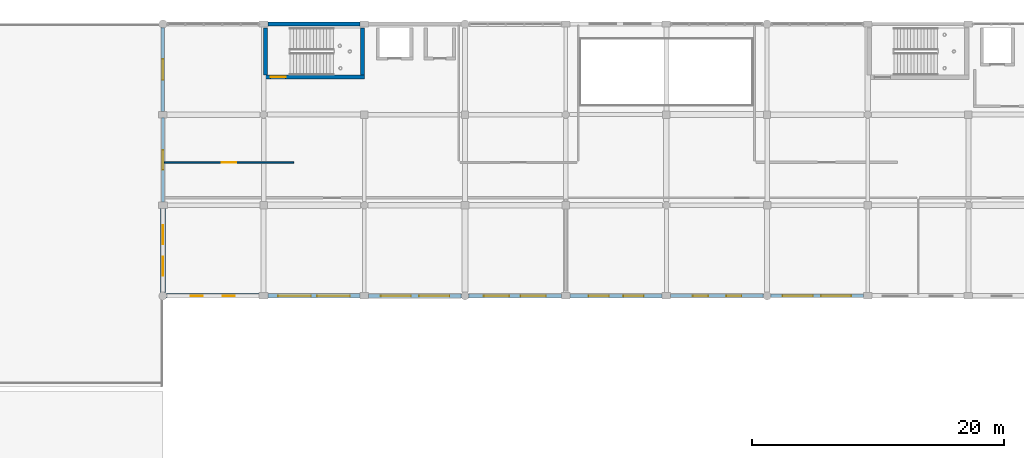
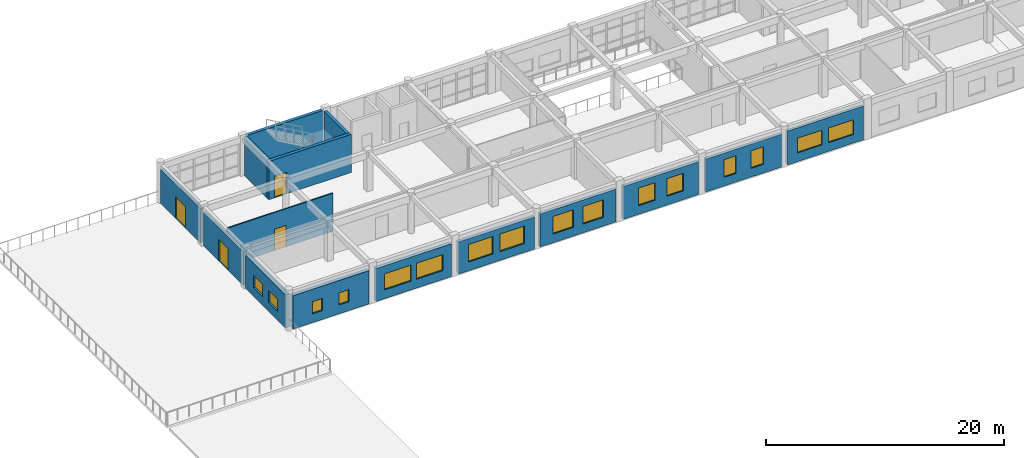
# One storey, part 41 of 53: 16 windows, 15 walls, 4 doors, 20 openings.
"""IFC4 building model written with IfcOpenShell, lengths in metres."""

from ifc_helpers import new_model, si_unit, direction, frame, frame_2d, origin, place, context, subcontext, project, spatial, rectangle, extrude, material, layer, layer_set, type_object, element, fill, save


model = new_model("IFC4")

# Units and contexts
model_context = context("Model", 3, precision=1e-05, world=origin(), true_north=direction((0.0, 1.0)))
body_context = subcontext(model_context, "Body", "Model", "MODEL_VIEW")
ifc_project = project(units=[si_unit("LENGTHUNIT", "METRE"), si_unit("AREAUNIT", "SQUARE_METRE"), si_unit("VOLUMEUNIT", "CUBIC_METRE"), si_unit("PLANEANGLEUNIT", "RADIAN"), si_unit("MASSUNIT", "GRAM", prefix="KILO")], contexts=[model_context])

# Site, building, storey
site_placement = place(None, origin())
site = spatial("IfcSite", under=ifc_project, at=site_placement, CompositionType="ELEMENT")
building_placement = place(site_placement, origin())
building = spatial("IfcBuilding", under=site, at=building_placement, Name="Kharva Crest Polytechnic", CompositionType="ELEMENT")
storey_placement = place(building_placement, frame((0.0, 0.0, 17.39990234375)))
storey = spatial("IfcBuildingStorey", under=building, at=storey_placement, Name="L04", CompositionType="ELEMENT", Elevation=17.39990234375)

# Wall, opening, door
ifc_material_1 = material(Name="Concrete C40/50", Category="concrete")
ifc_layer_1 = layer(ifc_material_1, 0.300048828125, Name="Concrete C40/50")
ifc_layer_set_1 = layer_set([ifc_layer_1], Name="Concrete C40/50")
wall_type_1 = type_object("IfcWallType", Name="WL-CORE-CW2-300", PredefinedType="SHEAR", material=ifc_layer_set_1)
wall_1_placement = place(storey_placement, frame((56.0, 117.7900390625, 0.0), z_axis=(0.0, 0.0, 1.0), x_axis=(1.0, 0.0, 0.0)))
wall_1 = element("IfcWall", 1, at=wall_1_placement, inside=storey, type_object=wall_type_1, Name="L04 North-West Lab Core C3 South Shear Wall", PredefinedType="SHEAR", context=body_context, shape_type="SweptSolid", body=[
    extrude(rectangle(XDim=8.0, YDim=0.300048828125, at=frame_2d((4.0, 0.0))), origin(), (0.0, 0.0, 1.0), 3.920166015625),
])
opening_1_placement = place(wall_1_placement, frame((0.550048828125, 0.0, 0.0)))
opening_1 = element("IfcOpeningElement", 2, at=opening_1_placement, cuts=wall_1, Name="Opening FD1", PredefinedType="OPENING", context=body_context, shape_type="SweptSolid", body=[
    extrude(rectangle(XDim=1.199951171875, YDim=2.199951171875, at=frame_2d((0.60009765625, 1.10009765625))), frame((0.0, 0.159912109375, 0.0), z_axis=(0.0, -1.0, 0.0), x_axis=(1.0, 0.0, 0.0)), (0.0, 0.0, 1.0), 0.320068359375),
])
ifc_material_2 = material(Name="Teak timber", Category="wood")
door_type_1 = type_object("IfcDoorType", Name="DR-STAIR-1200X2200", OperationType="NOTDEFINED", PredefinedType="DOOR", material=ifc_material_2)
door_1_placement = place(opening_1_placement, origin())
door_1 = element("IfcDoor", 3, at=door_1_placement, inside=storey, type_object=door_type_1, Name="L04 ST-03 Stair Door", OperationType="SINGLE_SWING_LEFT", OverallHeight=2.199951171875, OverallWidth=1.199951171875, PredefinedType="DOOR", context=body_context, shape_type="SweptSolid", body=[
    extrude(rectangle(XDim=1.199951171875, YDim=2.199951171875, at=frame_2d((0.60009765625, 1.10009765625))), frame((0.0, 0.02490234375, 0.0), z_axis=(0.0, -1.0, 0.0), x_axis=(1.0, 0.0, 0.0)), (0.0, 0.0, 1.0), 0.050048828125),
])
fill(opening_1, door_1)

# Walls
for number, where, z_axis, x_axis, name in (
    (4, (56.14990234375, 117.93994140625, 0.0), (0.0, 0.0, 1.0), (0.0, 1.0, 0.0), "L04 North-West Lab Core C3 West Shear Wall"),
    (5, (63.85009765625, 117.93994140625, 0.0), (0.0, 0.0, 1.0), (0.0, 1.0, 0.0), "L04 North-West Lab Core C3 East Shear Wall"),
):
    element("IfcWall", number, at=place(storey_placement, frame(where, z_axis=z_axis, x_axis=x_axis)), inside=storey, type_object=wall_type_1, Name=name, PredefinedType="SHEAR", context=body_context, shape_type="SweptSolid", body=[
        extrude(rectangle(XDim=3.760009765625, YDim=0.300048828125, at=frame_2d((1.8798828125, 0.0))), origin(), (0.0, 0.0, 1.0), 3.920166015625),
    ])

# Wall, opening, door
ifc_material_3 = material(Name="Kiln brick masonry", Category="masonry")
ifc_layer_2 = layer(ifc_material_3, 0.260009765625, Name="Kiln brick masonry")
ifc_layer_set_2 = layer_set([ifc_layer_2], Name="Kiln brick masonry")
wall_type_2 = type_object("IfcWallType", Name="WL-EXT-BRK-260", PredefinedType="SOLIDWALL", material=ifc_layer_set_2)
wall_2_placement = place(storey_placement, frame((48.0, 114.554931640625, 0.0), z_axis=(0.0, 0.0, 1.0), x_axis=(0.0, -1.0, 0.0)))
wall_2 = element("IfcWall", 6, at=wall_2_placement, inside=storey, type_object=wall_type_2, Name="L04 Exterior Brick Wall 392", PredefinedType="SOLIDWALL", context=body_context, shape_type="SweptSolid", body=[
    extrude(rectangle(XDim=6.7099609375, YDim=0.260009765625, at=frame_2d((3.35498046875, 0.0))), origin(), (0.0, 0.0, 1.0), 3.4501953125),
])
opening_2_placement = place(wall_2_placement, frame((2.580078125, 0.0, 0.0)))
opening_2 = element("IfcOpeningElement", 7, at=opening_2_placement, cuts=wall_2, Name="Opening ED8", PredefinedType="OPENING", context=body_context, shape_type="SweptSolid", body=[
    extrude(rectangle(XDim=1.550048828125, YDim=2.199951171875, at=frame_2d((0.77490234375, 1.10009765625))), frame((0.0, 0.139892578125, 0.0), z_axis=(0.0, -1.0, 0.0), x_axis=(1.0, 0.0, 0.0)), (0.0, 0.0, 1.0), 0.280029296875),
])
ifc_material_4 = material(Name="Anodised aluminium", Category="aluminium")
door_type_2 = type_object("IfcDoorType", Name="DR-EXT-TER-1550X2200", OperationType="NOTDEFINED", PredefinedType="DOOR", material=ifc_material_4)
door_2_placement = place(opening_2_placement, frame((1.550048828125, 0.0, 0.0), z_axis=(0.0, 0.0, 1.0), x_axis=(-1.0, 0.0, 0.0)))
door_2 = element("IfcDoor", 8, at=door_2_placement, inside=storey, type_object=door_type_2, Name="L04 TER_NW_L04 Access Door 53", OperationType="DOUBLE_DOOR_SINGLE_SWING", OverallHeight=2.199951171875, OverallWidth=1.550048828125, PredefinedType="DOOR", context=body_context, shape_type="SweptSolid", body=[
    extrude(rectangle(XDim=1.550048828125, YDim=2.199951171875, at=frame_2d((0.77490234375, 1.10009765625))), frame((0.0, 0.02490234375, 0.0), z_axis=(0.0, -1.0, 0.0), x_axis=(1.0, 0.0, 0.0)), (0.0, 0.0, 1.0), 0.050048828125),
])
fill(opening_2, door_2)

ifc_layer_3 = layer(ifc_material_3, 0.27490234375, Name="Kiln brick masonry")
ifc_layer_set_3 = layer_set([ifc_layer_3], Name="Kiln brick masonry")
wall_type_3 = type_object("IfcWallType", Name="WL-EXT-BRK-275", PredefinedType="SOLIDWALL", material=ifc_layer_set_3)
wall_3_placement = place(storey_placement, frame((48.0, 121.731201171875, 0.0), z_axis=(0.0, 0.0, 1.0), x_axis=(0.0, -1.0, 0.0)))
wall_3 = element("IfcWall", 9, at=wall_3_placement, inside=storey, type_object=wall_type_3, Name="L04 Exterior Brick Wall 391", PredefinedType="SOLIDWALL", context=body_context, shape_type="SweptSolid", body=[
    extrude(rectangle(XDim=6.686279296875, YDim=0.27490234375, at=frame_2d((3.34326171875, 0.0))), origin(), (0.0, 0.0, 1.0), 3.510009765625),
])
opening_3_placement = place(wall_3_placement, frame((2.51806640625, 0.0, 0.0)))
opening_3 = element("IfcOpeningElement", 10, at=opening_3_placement, cuts=wall_3, Name="Opening ED7", PredefinedType="OPENING", context=body_context, shape_type="SweptSolid", body=[
    extrude(rectangle(XDim=1.64990234375, YDim=2.199951171875, at=frame_2d((0.824951171875, 1.10009765625))), frame((0.0, 0.1474609375, 0.0), z_axis=(0.0, -1.0, 0.0), x_axis=(1.0, 0.0, 0.0)), (0.0, 0.0, 1.0), 0.294921875),
])
door_type_3 = type_object("IfcDoorType", Name="DR-EXT-TER-1650X2200", OperationType="NOTDEFINED", PredefinedType="DOOR", material=ifc_material_4)
door_3_placement = place(opening_3_placement, frame((1.64990234375, 0.0, 0.0), z_axis=(0.0, 0.0, 1.0), x_axis=(-1.0, 0.0, 0.0)))
door_3 = element("IfcDoor", 11, at=door_3_placement, inside=storey, type_object=door_type_3, Name="L04 TER_NW_L04 Access Door 52", OperationType="DOUBLE_DOOR_SINGLE_SWING", OverallHeight=2.199951171875, OverallWidth=1.64990234375, PredefinedType="DOOR", context=body_context, shape_type="SweptSolid", body=[
    extrude(rectangle(XDim=1.64990234375, YDim=2.199951171875, at=frame_2d((0.824951171875, 1.10009765625))), frame((0.0, 0.02490234375, 0.0), z_axis=(0.0, -1.0, 0.0), x_axis=(1.0, 0.0, 0.0)), (0.0, 0.0, 1.0), 0.050048828125),
])
fill(opening_3, door_3)

# Wall, openings, windows
wall_4_placement = place(storey_placement, frame((96.268798828125, 100.39990234375, 0.0), z_axis=(0.0, 0.0, 1.0), x_axis=(1.0, 0.0, 0.0)))
wall_4 = element("IfcWall", 12, at=wall_4_placement, inside=storey, type_object=wall_type_3, Name="L04 Exterior Brick Wall 400", PredefinedType="SOLIDWALL", context=body_context, shape_type="SweptSolid", body=[
    extrude(rectangle(XDim=7.38623046875, YDim=0.27490234375, at=frame_2d((3.693115234375, 0.0))), origin(), (0.0, 0.0, 1.0), 3.47021484375),
])
opening_4_placement = place(wall_4_placement, frame((0.968994140625, 0.0, 0.89990234375)))
opening_4 = element("IfcOpeningElement", 13, at=opening_4_placement, cuts=wall_4, Name="Opening W10", PredefinedType="OPENING", context=body_context, shape_type="SweptSolid", body=[
    extrude(rectangle(XDim=2.39990234375, YDim=1.5, at=frame_2d((1.199951171875, 0.75))), frame((0.0, 0.1474609375, 0.0), z_axis=(0.0, -1.0, 0.0), x_axis=(1.0, 0.0, 0.0)), (0.0, 0.0, 1.0), 0.294921875),
])
opening_5_placement = place(wall_4_placement, frame((4.01708984375, 0.0, 0.89990234375)))
opening_5 = element("IfcOpeningElement", 14, at=opening_5_placement, cuts=wall_4, Name="Opening W10", PredefinedType="OPENING", context=body_context, shape_type="SweptSolid", body=[
    extrude(rectangle(XDim=2.39990234375, YDim=1.5, at=frame_2d((1.199951171875, 0.75))), frame((0.0, 0.1474609375, 0.0), z_axis=(0.0, -1.0, 0.0), x_axis=(1.0, 0.0, 0.0)), (0.0, 0.0, 1.0), 0.294921875),
])
window_type_1 = type_object("IfcWindowType", Name="WIN-ALU-2400X1500", PartitioningType="SINGLE_PANEL", PredefinedType="WINDOW", material=ifc_material_4)
window_1_placement = place(opening_4_placement, origin())
window_1 = element("IfcWindow", 15, at=window_1_placement, inside=storey, type_object=window_type_1, Name="L04 Exterior Window 557", OverallHeight=1.5, OverallWidth=2.39990234375, PartitioningType="SINGLE_PANEL", PredefinedType="WINDOW", context=body_context, shape_type="SweptSolid", body=[
    extrude(rectangle(XDim=2.39990234375, YDim=1.5, at=frame_2d((1.199951171875, 0.75))), frame((0.0, 0.030029296875, 0.0), z_axis=(0.0, -1.0, 0.0), x_axis=(1.0, 0.0, 0.0)), (0.0, 0.0, 1.0), 0.06005859375),
])
fill(opening_4, window_1)
window_2_placement = place(opening_5_placement, origin())
window_2 = element("IfcWindow", 16, at=window_2_placement, inside=storey, type_object=window_type_1, Name="L04 Exterior Window 558", OverallHeight=1.5, OverallWidth=2.39990234375, PartitioningType="SINGLE_PANEL", PredefinedType="WINDOW", context=body_context, shape_type="SweptSolid", body=[
    extrude(rectangle(XDim=2.39990234375, YDim=1.5, at=frame_2d((1.199951171875, 0.75))), frame((0.0, 0.030029296875, 0.0), z_axis=(0.0, -1.0, 0.0), x_axis=(1.0, 0.0, 0.0)), (0.0, 0.0, 1.0), 0.06005859375),
])
fill(opening_5, window_2)

ifc_layer_4 = layer(ifc_material_3, 0.2900390625, Name="Kiln brick masonry")
ifc_layer_set_4 = layer_set([ifc_layer_4], Name="Kiln brick masonry")
wall_type_4 = type_object("IfcWallType", Name="WL-EXT-BRK-290", PredefinedType="SOLIDWALL", material=ifc_layer_set_4)
wall_5_placement = place(storey_placement, frame((88.3349609375, 100.39990234375, 0.0), z_axis=(0.0, 0.0, 1.0), x_axis=(1.0, 0.0, 0.0)))
wall_5 = element("IfcWall", 17, at=wall_5_placement, inside=storey, type_object=wall_type_4, Name="L04 Exterior Brick Wall 399", PredefinedType="SOLIDWALL", context=body_context, shape_type="SweptSolid", body=[
    extrude(rectangle(XDim=7.396240234375, YDim=0.2900390625, at=frame_2d((3.6982421875, 0.0))), origin(), (0.0, 0.0, 1.0), 3.3701171875),
])
opening_6_placement = place(wall_5_placement, frame((1.77197265625, 0.0, 0.89990234375)))
opening_6 = element("IfcOpeningElement", 18, at=opening_6_placement, cuts=wall_5, Name="Opening W08", PredefinedType="OPENING", context=body_context, shape_type="SweptSolid", body=[
    extrude(rectangle(XDim=1.199951171875, YDim=1.800048828125, at=frame_2d((0.60009765625, 0.89990234375))), frame((0.0, 0.155029296875, 0.0), z_axis=(0.0, -1.0, 0.0), x_axis=(1.0, 0.0, 0.0)), (0.0, 0.0, 1.0), 0.31005859375),
])
opening_7_placement = place(wall_5_placement, frame((4.424072265625, 0.0, 0.89990234375)))
opening_7 = element("IfcOpeningElement", 19, at=opening_7_placement, cuts=wall_5, Name="Opening W08", PredefinedType="OPENING", context=body_context, shape_type="SweptSolid", body=[
    extrude(rectangle(XDim=1.199951171875, YDim=1.800048828125, at=frame_2d((0.60009765625, 0.89990234375))), frame((0.0, 0.155029296875, 0.0), z_axis=(0.0, -1.0, 0.0), x_axis=(1.0, 0.0, 0.0)), (0.0, 0.0, 1.0), 0.31005859375),
])
window_type_2 = type_object("IfcWindowType", Name="WIN-ALU-1200X1800", PartitioningType="SINGLE_PANEL", PredefinedType="WINDOW", material=ifc_material_4)
window_3_placement = place(opening_6_placement, origin())
window_3 = element("IfcWindow", 20, at=window_3_placement, inside=storey, type_object=window_type_2, Name="L04 Exterior Window 555", OverallHeight=1.800048828125, OverallWidth=1.199951171875, PartitioningType="SINGLE_PANEL", PredefinedType="WINDOW", context=body_context, shape_type="SweptSolid", body=[
    extrude(rectangle(XDim=1.199951171875, YDim=1.800048828125, at=frame_2d((0.60009765625, 0.89990234375))), frame((0.0, 0.030029296875, 0.0), z_axis=(0.0, -1.0, 0.0), x_axis=(1.0, 0.0, 0.0)), (0.0, 0.0, 1.0), 0.06005859375),
])
fill(opening_6, window_3)
window_4_placement = place(opening_7_placement, origin())
window_4 = element("IfcWindow", 21, at=window_4_placement, inside=storey, type_object=window_type_2, Name="L04 Exterior Window 556", OverallHeight=1.800048828125, OverallWidth=1.199951171875, PartitioningType="SINGLE_PANEL", PredefinedType="WINDOW", context=body_context, shape_type="SweptSolid", body=[
    extrude(rectangle(XDim=1.199951171875, YDim=1.800048828125, at=frame_2d((0.60009765625, 0.89990234375))), frame((0.0, 0.030029296875, 0.0), z_axis=(0.0, -1.0, 0.0), x_axis=(1.0, 0.0, 0.0)), (0.0, 0.0, 1.0), 0.06005859375),
])
fill(opening_7, window_4)

# Wall
ifc_layer_5 = layer(ifc_material_3, 0.304931640625, Name="Kiln brick masonry")
ifc_layer_set_5 = layer_set([ifc_layer_5], Name="Kiln brick masonry")
wall_type_5 = type_object("IfcWallType", Name="WL-EXT-BRK-305", PredefinedType="SOLIDWALL", material=ifc_layer_set_5)
wall_6_placement = place(storey_placement, frame((63.6650390625, 122.0, 0.0), z_axis=(0.0, 0.0, 1.0), x_axis=(-1.0, 0.0, 0.0)))
element("IfcWall", 22, at=wall_6_placement, inside=storey, type_object=wall_type_5, Name="L04 Exterior Brick Wall 390", PredefinedType="SOLIDWALL", context=body_context, shape_type="SweptSolid", body=[
    extrude(rectangle(XDim=7.320068359375, YDim=0.304931640625, at=frame_2d((3.66015625, 0.0))), origin(), (0.0, 0.0, 1.0), 3.920166015625),
])

# Wall, openings, windows
wall_7_placement = place(storey_placement, frame((80.344970703125, 100.39990234375, 0.0), z_axis=(0.0, 0.0, 1.0), x_axis=(1.0, 0.0, 0.0)))
wall_7 = element("IfcWall", 23, at=wall_7_placement, inside=storey, type_object=wall_type_5, Name="L04 Exterior Brick Wall 398", PredefinedType="SOLIDWALL", context=body_context, shape_type="SweptSolid", body=[
    extrude(rectangle(XDim=7.320068359375, YDim=0.304931640625, at=frame_2d((3.66015625, 0.0))), origin(), (0.0, 0.0, 1.0), 3.3701171875),
])
opening_8_placement = place(wall_7_placement, frame((1.47998046875, 0.0, 0.89990234375)))
opening_8 = element("IfcOpeningElement", 24, at=opening_8_placement, cuts=wall_7, Name="Opening W06", PredefinedType="OPENING", context=body_context, shape_type="SweptSolid", body=[
    extrude(rectangle(XDim=1.60009765625, YDim=1.800048828125, at=frame_2d((0.800048828125, 0.89990234375))), frame((0.0, 0.162353515625, 0.0), z_axis=(0.0, -1.0, 0.0), x_axis=(1.0, 0.0, 0.0)), (0.0, 0.0, 1.0), 0.324951171875),
])
opening_9_placement = place(wall_7_placement, frame((4.239990234375, 0.0, 0.89990234375)))
opening_9 = element("IfcOpeningElement", 25, at=opening_9_placement, cuts=wall_7, Name="Opening W06", PredefinedType="OPENING", context=body_context, shape_type="SweptSolid", body=[
    extrude(rectangle(XDim=1.60009765625, YDim=1.800048828125, at=frame_2d((0.800048828125, 0.89990234375))), frame((0.0, 0.162353515625, 0.0), z_axis=(0.0, -1.0, 0.0), x_axis=(1.0, 0.0, 0.0)), (0.0, 0.0, 1.0), 0.324951171875),
])
window_type_3 = type_object("IfcWindowType", Name="WIN-ALU-1600X1800", PartitioningType="SINGLE_PANEL", PredefinedType="WINDOW", material=ifc_material_4)
window_5_placement = place(opening_8_placement, origin())
window_5 = element("IfcWindow", 26, at=window_5_placement, inside=storey, type_object=window_type_3, Name="L04 Exterior Window 553", OverallHeight=1.800048828125, OverallWidth=1.60009765625, PartitioningType="SINGLE_PANEL", PredefinedType="WINDOW", context=body_context, shape_type="SweptSolid", body=[
    extrude(rectangle(XDim=1.60009765625, YDim=1.800048828125, at=frame_2d((0.800048828125, 0.89990234375))), frame((0.0, 0.030029296875, 0.0), z_axis=(0.0, -1.0, 0.0), x_axis=(1.0, 0.0, 0.0)), (0.0, 0.0, 1.0), 0.06005859375),
])
fill(opening_8, window_5)
window_6_placement = place(opening_9_placement, origin())
window_6 = element("IfcWindow", 27, at=window_6_placement, inside=storey, type_object=window_type_3, Name="L04 Exterior Window 554", OverallHeight=1.800048828125, OverallWidth=1.60009765625, PartitioningType="SINGLE_PANEL", PredefinedType="WINDOW", context=body_context, shape_type="SweptSolid", body=[
    extrude(rectangle(XDim=1.60009765625, YDim=1.800048828125, at=frame_2d((0.800048828125, 0.89990234375))), frame((0.0, 0.030029296875, 0.0), z_axis=(0.0, -1.0, 0.0), x_axis=(1.0, 0.0, 0.0)), (0.0, 0.0, 1.0), 0.06005859375),
])
fill(opening_9, window_6)

ifc_layer_6 = layer(ifc_material_3, 0.320068359375, Name="Kiln brick masonry")
ifc_layer_set_6 = layer_set([ifc_layer_6], Name="Kiln brick masonry")
wall_type_6 = type_object("IfcWallType", Name="WL-EXT-BRK-320", PredefinedType="SOLIDWALL", material=ifc_layer_set_6)
wall_8_placement = place(storey_placement, frame((72.268798828125, 100.39990234375, 0.0), z_axis=(0.0, 0.0, 1.0), x_axis=(1.0, 0.0, 0.0)))
wall_8 = element("IfcWall", 28, at=wall_8_placement, inside=storey, type_object=wall_type_6, Name="L04 Exterior Brick Wall 397", PredefinedType="SOLIDWALL", context=body_context, shape_type="SweptSolid", body=[
    extrude(rectangle(XDim=7.38623046875, YDim=0.320068359375, at=frame_2d((3.693115234375, 0.0))), origin(), (0.0, 0.0, 1.0), 3.3701171875),
])
opening_10_placement = place(wall_8_placement, frame((1.235107421875, 0.0, 0.89990234375)))
opening_10 = element("IfcOpeningElement", 29, at=opening_10_placement, cuts=wall_8, Name="Opening W04", PredefinedType="OPENING", context=body_context, shape_type="SweptSolid", body=[
    extrude(rectangle(XDim=2.0, YDim=1.800048828125, at=frame_2d((1.0, 0.89990234375))), frame((0.0, 0.169921875, 0.0), z_axis=(0.0, -1.0, 0.0), x_axis=(1.0, 0.0, 0.0)), (0.0, 0.0, 1.0), 0.340087890625),
])
opening_11_placement = place(wall_8_placement, frame((4.15087890625, 0.0, 0.89990234375)))
opening_11 = element("IfcOpeningElement", 30, at=opening_11_placement, cuts=wall_8, Name="Opening W04", PredefinedType="OPENING", context=body_context, shape_type="SweptSolid", body=[
    extrude(rectangle(XDim=2.0, YDim=1.800048828125, at=frame_2d((1.0, 0.89990234375))), frame((0.0, 0.169921875, 0.0), z_axis=(0.0, -1.0, 0.0), x_axis=(1.0, 0.0, 0.0)), (0.0, 0.0, 1.0), 0.340087890625),
])
window_type_4 = type_object("IfcWindowType", Name="WIN-ALU-2000X1800", PartitioningType="SINGLE_PANEL", PredefinedType="WINDOW", material=ifc_material_4)
window_7_placement = place(opening_10_placement, origin())
window_7 = element("IfcWindow", 31, at=window_7_placement, inside=storey, type_object=window_type_4, Name="L04 Exterior Window 551", OverallHeight=1.800048828125, OverallWidth=2.0, PartitioningType="SINGLE_PANEL", PredefinedType="WINDOW", context=body_context, shape_type="SweptSolid", body=[
    extrude(rectangle(XDim=2.0, YDim=1.800048828125, at=frame_2d((1.0, 0.89990234375))), frame((0.0, 0.030029296875, 0.0), z_axis=(0.0, -1.0, 0.0), x_axis=(1.0, 0.0, 0.0)), (0.0, 0.0, 1.0), 0.06005859375),
])
fill(opening_10, window_7)
window_8_placement = place(opening_11_placement, origin())
window_8 = element("IfcWindow", 32, at=window_8_placement, inside=storey, type_object=window_type_4, Name="L04 Exterior Window 552", OverallHeight=1.800048828125, OverallWidth=2.0, PartitioningType="SINGLE_PANEL", PredefinedType="WINDOW", context=body_context, shape_type="SweptSolid", body=[
    extrude(rectangle(XDim=2.0, YDim=1.800048828125, at=frame_2d((1.0, 0.89990234375))), frame((0.0, 0.030029296875, 0.0), z_axis=(0.0, -1.0, 0.0), x_axis=(1.0, 0.0, 0.0)), (0.0, 0.0, 1.0), 0.06005859375),
])
fill(opening_11, window_8)

ifc_layer_7 = layer(ifc_material_3, 0.3349609375, Name="Kiln brick masonry")
ifc_layer_set_7 = layer_set([ifc_layer_7], Name="Kiln brick masonry")
wall_type_7 = type_object("IfcWallType", Name="WL-EXT-BRK-335", PredefinedType="SOLIDWALL", material=ifc_layer_set_7)
wall_9_placement = place(storey_placement, frame((64.3349609375, 100.39990234375, 0.0), z_axis=(0.0, 0.0, 1.0), x_axis=(1.0, 0.0, 0.0)))
wall_9 = element("IfcWall", 33, at=wall_9_placement, inside=storey, type_object=wall_type_7, Name="L04 Exterior Brick Wall 396", PredefinedType="SOLIDWALL", context=body_context, shape_type="SweptSolid", body=[
    extrude(rectangle(XDim=7.396240234375, YDim=0.3349609375, at=frame_2d((3.6982421875, 0.0))), origin(), (0.0, 0.0, 1.0), 3.2900390625),
])
opening_12_placement = place(wall_9_placement, frame((0.971923828125, 0.0, 0.89990234375)))
opening_12 = element("IfcOpeningElement", 34, at=opening_12_placement, cuts=wall_9, Name="Opening W02", PredefinedType="OPENING", context=body_context, shape_type="SweptSolid", body=[
    extrude(rectangle(XDim=2.39990234375, YDim=1.800048828125, at=frame_2d((1.199951171875, 0.89990234375))), frame((0.0, 0.177490234375, 0.0), z_axis=(0.0, -1.0, 0.0), x_axis=(1.0, 0.0, 0.0)), (0.0, 0.0, 1.0), 0.35498046875),
])
opening_13_placement = place(wall_9_placement, frame((4.02392578125, 0.0, 0.89990234375)))
opening_13 = element("IfcOpeningElement", 35, at=opening_13_placement, cuts=wall_9, Name="Opening W02", PredefinedType="OPENING", context=body_context, shape_type="SweptSolid", body=[
    extrude(rectangle(XDim=2.39990234375, YDim=1.800048828125, at=frame_2d((1.199951171875, 0.89990234375))), frame((0.0, 0.177490234375, 0.0), z_axis=(0.0, -1.0, 0.0), x_axis=(1.0, 0.0, 0.0)), (0.0, 0.0, 1.0), 0.35498046875),
])
window_type_5 = type_object("IfcWindowType", Name="WIN-ALU-2400X1800", PartitioningType="SINGLE_PANEL", PredefinedType="WINDOW", material=ifc_material_4)
window_9_placement = place(opening_12_placement, origin())
window_9 = element("IfcWindow", 36, at=window_9_placement, inside=storey, type_object=window_type_5, Name="L04 Exterior Window 549", OverallHeight=1.800048828125, OverallWidth=2.39990234375, PartitioningType="SINGLE_PANEL", PredefinedType="WINDOW", context=body_context, shape_type="SweptSolid", body=[
    extrude(rectangle(XDim=2.39990234375, YDim=1.800048828125, at=frame_2d((1.199951171875, 0.89990234375))), frame((0.0, 0.030029296875, 0.0), z_axis=(0.0, -1.0, 0.0), x_axis=(1.0, 0.0, 0.0)), (0.0, 0.0, 1.0), 0.06005859375),
])
fill(opening_12, window_9)
window_10_placement = place(opening_13_placement, origin())
window_10 = element("IfcWindow", 37, at=window_10_placement, inside=storey, type_object=window_type_5, Name="L04 Exterior Window 550", OverallHeight=1.800048828125, OverallWidth=2.39990234375, PartitioningType="SINGLE_PANEL", PredefinedType="WINDOW", context=body_context, shape_type="SweptSolid", body=[
    extrude(rectangle(XDim=2.39990234375, YDim=1.800048828125, at=frame_2d((1.199951171875, 0.89990234375))), frame((0.0, 0.030029296875, 0.0), z_axis=(0.0, -1.0, 0.0), x_axis=(1.0, 0.0, 0.0)), (0.0, 0.0, 1.0), 0.06005859375),
])
fill(opening_13, window_10)

ifc_layer_8 = layer(ifc_material_3, 0.35009765625, Name="Kiln brick masonry")
ifc_layer_set_8 = layer_set([ifc_layer_8], Name="Kiln brick masonry")
wall_type_8 = type_object("IfcWallType", Name="WL-EXT-BRK-350", PredefinedType="SOLIDWALL", material=ifc_layer_set_8)
wall_10_placement = place(storey_placement, frame((56.344970703125, 100.39990234375, 0.0), z_axis=(0.0, 0.0, 1.0), x_axis=(1.0, 0.0, 0.0)))
wall_10 = element("IfcWall", 38, at=wall_10_placement, inside=storey, type_object=wall_type_8, Name="L04 Exterior Brick Wall 395", PredefinedType="SOLIDWALL", context=body_context, shape_type="SweptSolid", body=[
    extrude(rectangle(XDim=7.320068359375, YDim=0.35009765625, at=frame_2d((3.66015625, 0.0))), origin(), (0.0, 0.0, 1.0), 3.3701171875),
])
opening_14_placement = place(wall_10_placement, frame((0.81298828125, 0.0, 0.89990234375)))
opening_14 = element("IfcOpeningElement", 39, at=opening_14_placement, cuts=wall_10, Name="Opening W24", PredefinedType="OPENING", context=body_context, shape_type="SweptSolid", body=[
    extrude(rectangle(XDim=2.60009765625, YDim=1.64990234375, at=frame_2d((1.300048828125, 0.824951171875))), frame((0.0, 0.18505859375, 0.0), z_axis=(0.0, -1.0, 0.0), x_axis=(1.0, 0.0, 0.0)), (0.0, 0.0, 1.0), 0.3701171875),
])
opening_15_placement = place(wall_10_placement, frame((3.906982421875, 0.0, 0.89990234375)))
opening_15 = element("IfcOpeningElement", 40, at=opening_15_placement, cuts=wall_10, Name="Opening W24", PredefinedType="OPENING", context=body_context, shape_type="SweptSolid", body=[
    extrude(rectangle(XDim=2.60009765625, YDim=1.64990234375, at=frame_2d((1.300048828125, 0.824951171875))), frame((0.0, 0.18505859375, 0.0), z_axis=(0.0, -1.0, 0.0), x_axis=(1.0, 0.0, 0.0)), (0.0, 0.0, 1.0), 0.3701171875),
])
window_type_6 = type_object("IfcWindowType", Name="WIN-ALU-2600X1650", PartitioningType="SINGLE_PANEL", PredefinedType="WINDOW", material=ifc_material_4)
window_11_placement = place(opening_14_placement, origin())
window_11 = element("IfcWindow", 41, at=window_11_placement, inside=storey, type_object=window_type_6, Name="L04 Exterior Window 547", OverallHeight=1.64990234375, OverallWidth=2.60009765625, PartitioningType="SINGLE_PANEL", PredefinedType="WINDOW", context=body_context, shape_type="SweptSolid", body=[
    extrude(rectangle(XDim=2.60009765625, YDim=1.64990234375, at=frame_2d((1.300048828125, 0.824951171875))), frame((0.0, 0.030029296875, 0.0), z_axis=(0.0, -1.0, 0.0), x_axis=(1.0, 0.0, 0.0)), (0.0, 0.0, 1.0), 0.06005859375),
])
fill(opening_14, window_11)
window_12_placement = place(opening_15_placement, origin())
window_12 = element("IfcWindow", 42, at=window_12_placement, inside=storey, type_object=window_type_6, Name="L04 Exterior Window 548", OverallHeight=1.64990234375, OverallWidth=2.60009765625, PartitioningType="SINGLE_PANEL", PredefinedType="WINDOW", context=body_context, shape_type="SweptSolid", body=[
    extrude(rectangle(XDim=2.60009765625, YDim=1.64990234375, at=frame_2d((1.300048828125, 0.824951171875))), frame((0.0, 0.030029296875, 0.0), z_axis=(0.0, -1.0, 0.0), x_axis=(1.0, 0.0, 0.0)), (0.0, 0.0, 1.0), 0.06005859375),
])
fill(opening_15, window_12)

ifc_layer_9 = layer(ifc_material_3, 0.364990234375, Name="Kiln brick masonry")
ifc_layer_set_9 = layer_set([ifc_layer_9], Name="Kiln brick masonry")
wall_type_9 = type_object("IfcWallType", Name="WL-EXT-BRK-365", PredefinedType="SOLIDWALL", material=ifc_layer_set_9)
wall_11_placement = place(storey_placement, frame((48.268798828125, 100.39990234375, 0.0), z_axis=(0.0, 0.0, 1.0), x_axis=(1.0, 0.0, 0.0)))
wall_11 = element("IfcWall", 43, at=wall_11_placement, inside=storey, type_object=wall_type_9, Name="L04 Exterior Brick Wall 394", PredefinedType="SOLIDWALL", context=body_context, shape_type="SweptSolid", body=[
    extrude(rectangle(XDim=7.38623046875, YDim=0.364990234375, at=frame_2d((3.693115234375, 0.0))), origin(), (0.0, 0.0, 1.0), 3.420166015625),
])
opening_16_placement = place(wall_11_placement, frame((1.93505859375, 0.0, 0.89990234375)))
opening_16 = element("IfcOpeningElement", 44, at=opening_16_placement, cuts=wall_11, Name="Opening W22", PredefinedType="OPENING", context=body_context, shape_type="SweptSolid", body=[
    extrude(rectangle(XDim=0.949951171875, YDim=1.25, at=frame_2d((0.47509765625, 0.625))), frame((0.0, 0.1923828125, 0.0), z_axis=(0.0, -1.0, 0.0), x_axis=(1.0, 0.0, 0.0)), (0.0, 0.0, 1.0), 0.385009765625),
])
opening_17_placement = place(wall_11_placement, frame((4.5009765625, 0.0, 0.89990234375)))
opening_17 = element("IfcOpeningElement", 45, at=opening_17_placement, cuts=wall_11, Name="Opening W22", PredefinedType="OPENING", context=body_context, shape_type="SweptSolid", body=[
    extrude(rectangle(XDim=0.949951171875, YDim=1.25, at=frame_2d((0.47509765625, 0.625))), frame((0.0, 0.1923828125, 0.0), z_axis=(0.0, -1.0, 0.0), x_axis=(1.0, 0.0, 0.0)), (0.0, 0.0, 1.0), 0.385009765625),
])
window_type_7 = type_object("IfcWindowType", Name="WIN-ALU-950X1250", PartitioningType="SINGLE_PANEL", PredefinedType="WINDOW", material=ifc_material_4)
window_13_placement = place(opening_16_placement, origin())
window_13 = element("IfcWindow", 46, at=window_13_placement, inside=storey, type_object=window_type_7, Name="L04 Exterior Window 545", OverallHeight=1.25, OverallWidth=0.949951171875, PartitioningType="SINGLE_PANEL", PredefinedType="WINDOW", context=body_context, shape_type="SweptSolid", body=[
    extrude(rectangle(XDim=0.949951171875, YDim=1.25, at=frame_2d((0.47509765625, 0.625))), frame((0.0, 0.030029296875, 0.0), z_axis=(0.0, -1.0, 0.0), x_axis=(1.0, 0.0, 0.0)), (0.0, 0.0, 1.0), 0.06005859375),
])
fill(opening_16, window_13)
window_14_placement = place(opening_17_placement, origin())
window_14 = element("IfcWindow", 47, at=window_14_placement, inside=storey, type_object=window_type_7, Name="L04 Exterior Window 546", OverallHeight=1.25, OverallWidth=0.949951171875, PartitioningType="SINGLE_PANEL", PredefinedType="WINDOW", context=body_context, shape_type="SweptSolid", body=[
    extrude(rectangle(XDim=0.949951171875, YDim=1.25, at=frame_2d((0.47509765625, 0.625))), frame((0.0, 0.030029296875, 0.0), z_axis=(0.0, -1.0, 0.0), x_axis=(1.0, 0.0, 0.0)), (0.0, 0.0, 1.0), 0.06005859375),
])
fill(opening_17, window_14)

ifc_layer_10 = layer(ifc_material_3, 0.3798828125, Name="Kiln brick masonry")
ifc_layer_set_10 = layer_set([ifc_layer_10], Name="Kiln brick masonry")
wall_type_10 = type_object("IfcWallType", Name="WL-EXT-BRK-380", PredefinedType="SOLIDWALL", material=ifc_layer_set_10)
wall_12_placement = place(storey_placement, frame((48.0, 107.35498046875, 0.0), z_axis=(0.0, 0.0, 1.0), x_axis=(0.0, -1.0, 0.0)))
wall_12 = element("IfcWall", 48, at=wall_12_placement, inside=storey, type_object=wall_type_10, Name="L04 Exterior Brick Wall 393", PredefinedType="SOLIDWALL", context=body_context, shape_type="SweptSolid", body=[
    extrude(rectangle(XDim=6.686279296875, YDim=0.3798828125, at=frame_2d((3.34326171875, 0.0))), origin(), (0.0, 0.0, 1.0), 3.39013671875),
])
opening_18_placement = place(wall_12_placement, frame((1.3349609375, 0.0, 0.89990234375)))
opening_18 = element("IfcOpeningElement", 49, at=opening_18_placement, cuts=wall_12, Name="Opening W20", PredefinedType="OPENING", context=body_context, shape_type="SweptSolid", body=[
    extrude(rectangle(XDim=1.5, YDim=1.25, at=frame_2d((0.75, 0.625))), frame((0.0, 0.199951171875, 0.0), z_axis=(0.0, -1.0, 0.0), x_axis=(1.0, 0.0, 0.0)), (0.0, 0.0, 1.0), 0.39990234375),
])
opening_19_placement = place(wall_12_placement, frame((3.85107421875, 0.0, 0.89990234375)))
opening_19 = element("IfcOpeningElement", 50, at=opening_19_placement, cuts=wall_12, Name="Opening W20", PredefinedType="OPENING", context=body_context, shape_type="SweptSolid", body=[
    extrude(rectangle(XDim=1.5, YDim=1.25, at=frame_2d((0.75, 0.625))), frame((0.0, 0.199951171875, 0.0), z_axis=(0.0, -1.0, 0.0), x_axis=(1.0, 0.0, 0.0)), (0.0, 0.0, 1.0), 0.39990234375),
])
window_type_8 = type_object("IfcWindowType", Name="WIN-ALU-1500X1250", PartitioningType="SINGLE_PANEL", PredefinedType="WINDOW", material=ifc_material_4)
window_15_placement = place(opening_18_placement, origin())
window_15 = element("IfcWindow", 51, at=window_15_placement, inside=storey, type_object=window_type_8, Name="L04 Exterior Window 543", OverallHeight=1.25, OverallWidth=1.5, PartitioningType="SINGLE_PANEL", PredefinedType="WINDOW", context=body_context, shape_type="SweptSolid", body=[
    extrude(rectangle(XDim=1.5, YDim=1.25, at=frame_2d((0.75, 0.625))), frame((0.0, 0.030029296875, 0.0), z_axis=(0.0, -1.0, 0.0), x_axis=(1.0, 0.0, 0.0)), (0.0, 0.0, 1.0), 0.06005859375),
])
fill(opening_18, window_15)
window_16_placement = place(opening_19_placement, origin())
window_16 = element("IfcWindow", 52, at=window_16_placement, inside=storey, type_object=window_type_8, Name="L04 Exterior Window 544", OverallHeight=1.25, OverallWidth=1.5, PartitioningType="SINGLE_PANEL", PredefinedType="WINDOW", context=body_context, shape_type="SweptSolid", body=[
    extrude(rectangle(XDim=1.5, YDim=1.25, at=frame_2d((0.75, 0.625))), frame((0.0, 0.030029296875, 0.0), z_axis=(0.0, -1.0, 0.0), x_axis=(1.0, 0.0, 0.0)), (0.0, 0.0, 1.0), 0.06005859375),
])
fill(opening_19, window_16)

# Wall, opening, door
ifc_layer_11 = layer(ifc_material_3, 0.1201171875, Name="Kiln brick masonry")
ifc_layer_set_11 = layer_set([ifc_layer_11], Name="Kiln brick masonry")
wall_type_11 = type_object("IfcWallType", Name="WL-PART-120", PredefinedType="PARTITIONING", material=ifc_layer_set_11)
wall_13_placement = place(storey_placement, frame((48.110107421875, 111.010009765625, 0.0), z_axis=(0.0, 0.0, 1.0), x_axis=(1.0, 0.0, 0.0)))
wall_13 = element("IfcWall", 53, at=wall_13_placement, inside=storey, type_object=wall_type_11, Name="L04 Interior Partition 346", PredefinedType="PARTITIONING", context=body_context, shape_type="SweptSolid", body=[
    extrude(rectangle(XDim=10.269775390625, YDim=0.1201171875, at=frame_2d((5.134765625, 0.0))), origin(), (0.0, 0.0, 1.0), 3.900146484375),
])
opening_20_placement = place(wall_13_placement, frame((4.574951171875, 0.0, 0.0)))
opening_20 = element("IfcOpeningElement", 54, at=opening_20_placement, cuts=wall_13, Name="Opening ID9", PredefinedType="OPENING", context=body_context, shape_type="SweptSolid", body=[
    extrude(rectangle(XDim=1.1201171875, YDim=2.199951171875, at=frame_2d((0.56005859375, 1.10009765625))), frame((0.0, 0.070068359375, 0.0), z_axis=(0.0, -1.0, 0.0), x_axis=(1.0, 0.0, 0.0)), (0.0, 0.0, 1.0), 0.14013671875),
])
door_type_4 = type_object("IfcDoorType", Name="DR-STD-1120X2200", OperationType="NOTDEFINED", PredefinedType="DOOR", material=ifc_material_2)
door_4_placement = place(opening_20_placement, origin())
door_4 = element("IfcDoor", 55, at=door_4_placement, inside=storey, type_object=door_type_4, Name="L04 Architecture Design Studio L04-A Door", OperationType="SINGLE_SWING_LEFT", OverallHeight=2.199951171875, OverallWidth=1.1201171875, PredefinedType="DOOR", context=body_context, shape_type="SweptSolid", body=[
    extrude(rectangle(XDim=1.1201171875, YDim=2.199951171875, at=frame_2d((0.56005859375, 1.10009765625))), frame((0.0, 0.02490234375, 0.0), z_axis=(0.0, -1.0, 0.0), x_axis=(1.0, 0.0, 0.0)), (0.0, 0.0, 1.0), 0.050048828125),
])
fill(opening_20, door_4)

save(model, "model.ifc")
